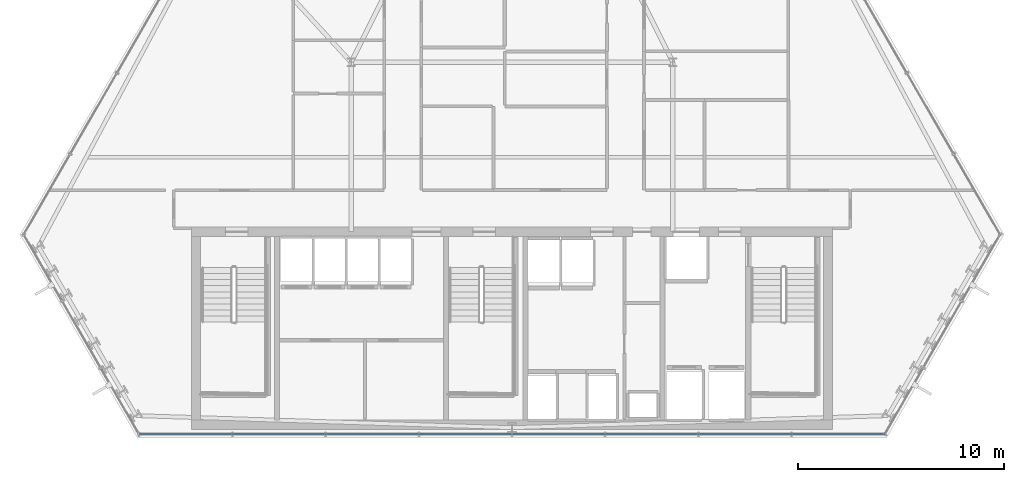
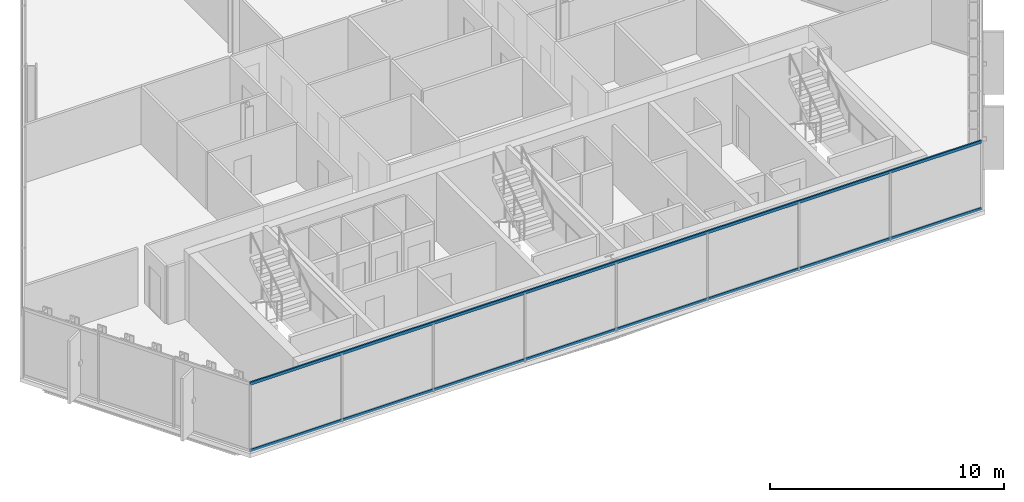
# One storey, part 8 of 33: 2 members, 1 element without a shape of its own.
"""IFC4 building model written with IfcOpenShell, lengths in metres."""

from ifc_helpers import new_model, si_unit, direction, frame, origin, origin_2d, place, context, subcontext, project, spatial, hollow_rectangle, extrude, material, layer, layer_set, material_profile, profile_set, type_object, element, aggregate, save


model = new_model("IFC4")

# Units and contexts
model_context = context("Model", 3, precision=1e-05, world=origin(), true_north=direction((0.0, 1.0)))
body_context = subcontext(model_context, "Body", "Model", "MODEL_VIEW")
ifc_project = project(units=[si_unit("LENGTHUNIT", "METRE"), si_unit("AREAUNIT", "SQUARE_METRE"), si_unit("VOLUMEUNIT", "CUBIC_METRE"), si_unit("PLANEANGLEUNIT", "RADIAN"), si_unit("MASSUNIT", "GRAM", prefix="KILO")], contexts=[model_context])

# Site, building, storey
site_placement = place(None, origin())
site = spatial("IfcSite", under=ifc_project, at=site_placement, CompositionType="ELEMENT")
building_placement = place(site_placement, origin())
building = spatial("IfcBuilding", under=site, at=building_placement, Name="Ndaravel Arena Tower", CompositionType="ELEMENT")
storey_placement = place(building_placement, frame((0.0, 0.0, 153.60009765625)))
storey = spatial("IfcBuildingStorey", under=building, at=storey_placement, Name="L36", CompositionType="ELEMENT", Elevation=153.60009765625)

# Curtain wall, members
ifc_material_1 = material(Name="Aluminium", Category="aluminium")
ifc_layer = layer(ifc_material_1, 0.179931640625)
ifc_layer_set = layer_set([ifc_layer], Name="Aluminium")
curtain_wall_type = type_object("IfcCurtainWallType", Name="CW-SYS-03", PredefinedType="NOTDEFINED", material=ifc_layer_set)
curtain_wall_placement = place(storey_placement, origin())
curtain_wall = element("IfcCurtainWall", 1, at=curtain_wall_placement, inside=storey, type_object=curtain_wall_type, Name="L36 Faceted Crystal Curtain Wall CW-L36-E01", PredefinedType="NOTDEFINED")
ifc_material_2 = material(Name="Aluminium", Category="aluminium")
ifc_material_profile = material_profile(ifc_material_2, hollow_rectangle(XDim=0.074951171875, YDim=0.14990234375, WallThickness=0.00390625, at=origin_2d()), Name="CW TRANSOM 75x150x4")
ifc_profile_set = profile_set([ifc_material_profile], Name="Aluminium")
member_type = type_object("IfcMemberType", Name="MEM-CW-TRN150", PredefinedType="USERDEFINED", material=ifc_profile_set)
member_1_placement = place(storey_placement, frame((23.92431640625, 5.159912109375, 0.039794921875), z_axis=(1.0, 0.0, 0.0), x_axis=(0.0, 1.0, 0.0)))
member_1 = element("IfcMember", 2, at=member_1_placement, type_object=member_type, Name="CW-L36-E01 Transom 01", ObjectType="TRANSOM", PredefinedType="USERDEFINED", context=body_context, shape_type="SweptSolid", body=[
    extrude(hollow_rectangle(XDim=0.074951171875, YDim=0.14990234375, WallThickness=0.00390625, at=origin_2d()), origin(), (0.0, 0.0, 1.0), 36.1513671875),
])
member_2_placement = place(storey_placement, frame((23.92431640625, 5.159912109375, 3.539794921875), z_axis=(1.0, 0.0, 0.0), x_axis=(0.0, 1.0, 0.0)))
member_2 = element("IfcMember", 3, at=member_2_placement, type_object=member_type, Name="CW-L36-E01 Transom 02", ObjectType="TRANSOM", PredefinedType="USERDEFINED", context=body_context, shape_type="SweptSolid", body=[
    extrude(hollow_rectangle(XDim=0.074951171875, YDim=0.14990234375, WallThickness=0.00390625, at=origin_2d()), origin(), (0.0, 0.0, 1.0), 36.1513671875),
])
aggregate(curtain_wall, [member_1, member_2])

save(model, "model.ifc")
